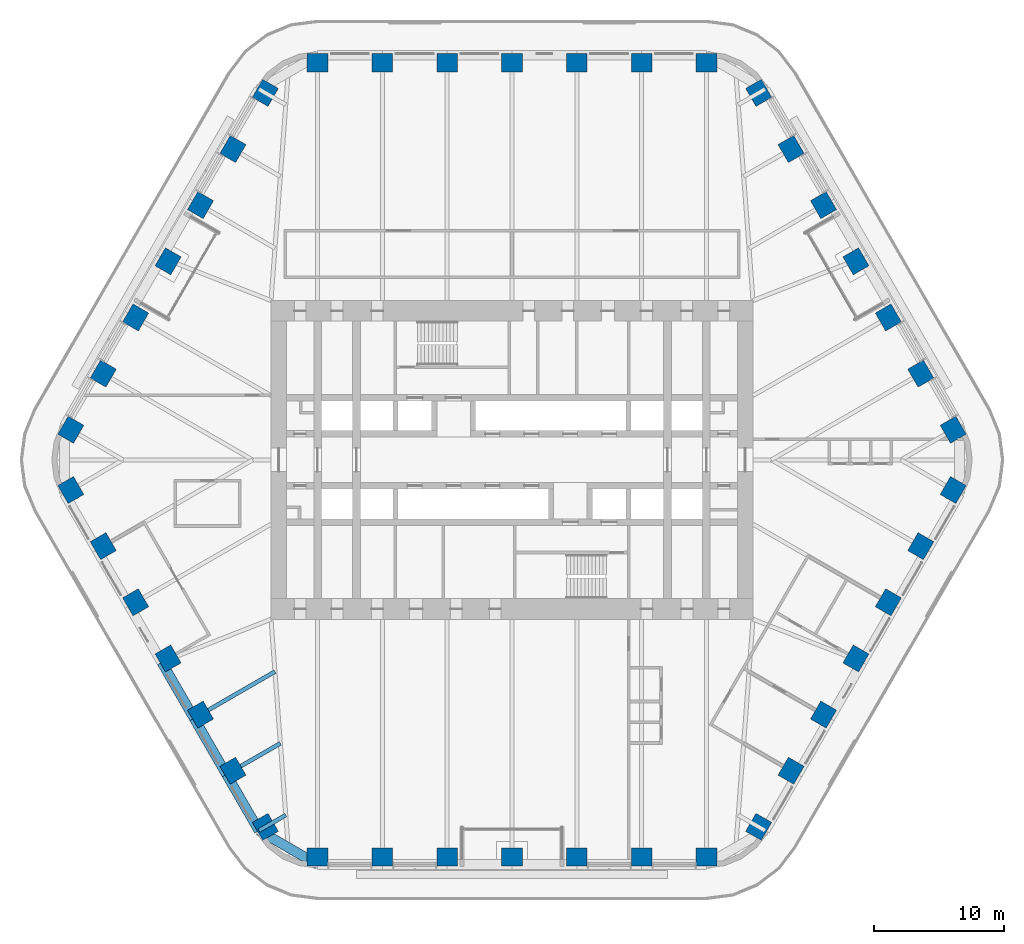
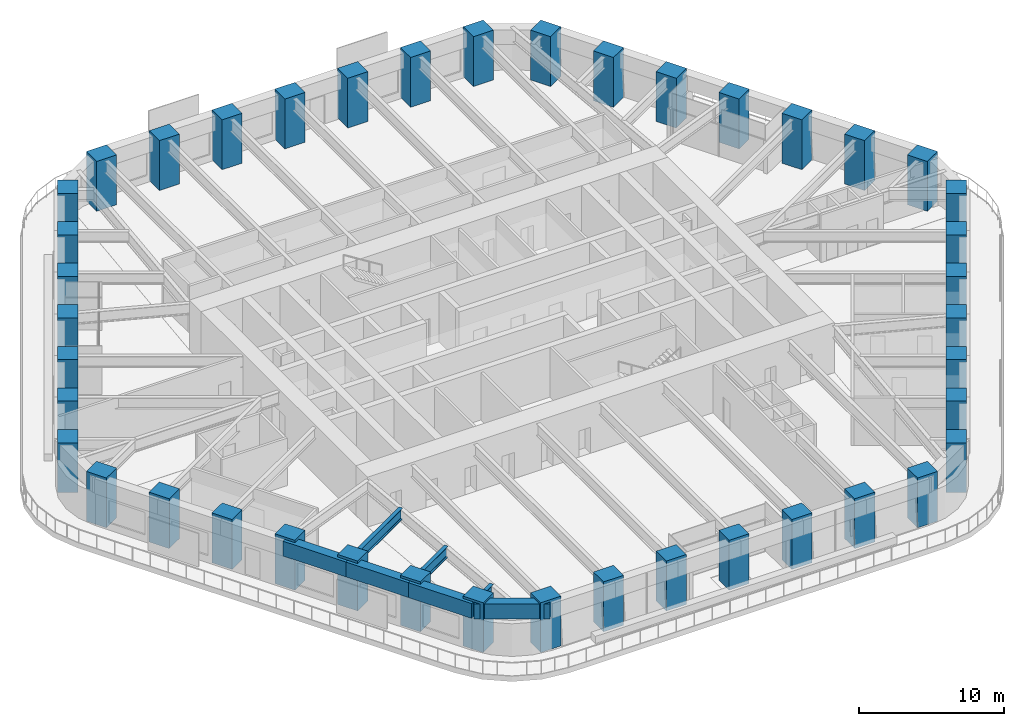
# One storey, part 1 of 24: 42 columns, 7 beams.
"""IFC4 building model written with IfcOpenShell, lengths in metres."""

from ifc_helpers import new_model, si_unit, direction, frame, origin, origin_2d, place, context, subcontext, project, spatial, rectangle, i_section, extrude, material, material_profile, profile_set, type_object, element, save


model = new_model("IFC4")

# Units and contexts
model_context = context("Model", 3, precision=1e-05, world=origin(), true_north=direction((0.0, 1.0)))
body_context = subcontext(model_context, "Body", "Model", "MODEL_VIEW")
ifc_project = project(units=[si_unit("LENGTHUNIT", "METRE"), si_unit("AREAUNIT", "SQUARE_METRE"), si_unit("VOLUMEUNIT", "CUBIC_METRE"), si_unit("PLANEANGLEUNIT", "RADIAN"), si_unit("MASSUNIT", "GRAM", prefix="KILO")], contexts=[model_context])

# Site, building, storey
site_placement = place(None, origin())
site = spatial("IfcSite", under=ifc_project, at=site_placement, CompositionType="ELEMENT")
building_placement = place(site_placement, origin())
building = spatial("IfcBuilding", under=site, at=building_placement, Name="Tarfa Lantern Tower", CompositionType="ELEMENT")
storey_placement = place(building_placement, frame((0.0, 0.0, 169.89990234375)))
storey = spatial("IfcBuildingStorey", under=building, at=storey_placement, Name="L38", CompositionType="ELEMENT", Elevation=169.89990234375)

# Columns
ifc_material_1 = material(Name="Concrete C80/95", Category="concrete")
ifc_material_profile_1 = material_profile(ifc_material_1, rectangle(XDim=1.60009765625, YDim=1.39990234375, at=origin_2d()), Name="RC 1600x1400")
ifc_profile_set_1 = profile_set([ifc_material_profile_1], Name="Concrete C80/95")
column_type = type_object("IfcColumnType", Name="TC7 RC 1600x1400", PredefinedType="COLUMN", material=ifc_profile_set_1)
for number, where, z_axis, x_axis, name in (
    (1, (34.04931640625, 2.324951171875, 0.0), (0.0, 0.0, 1.0), (-0.5, 0.866025403784, 0.0), "Tube column NE0"),
    (2, (31.54736328125, 6.658447265625, 0.0), (0.0, 0.0, 1.0), (-0.5, 0.866025403784, 0.0), "Tube column NE1"),
    (3, (29.04541015625, 10.99169921875, 0.0), (0.0, 0.0, 1.0), (-0.5, 0.866025403784, 0.0), "Tube column NE2"),
    (4, (26.543701171875, 15.324951171875, 0.0), (0.0, 0.0, 1.0), (-0.5, 0.866025403784, 0.0), "Tube column NE3"),
    (5, (24.041748046875, 19.658447265625, 0.0), (0.0, 0.0, 1.0), (-0.5, 0.866025403784, 0.0), "Tube column NE4"),
    (6, (21.5400390625, 23.99169921875, 0.0), (0.0, 0.0, 1.0), (-0.5, 0.866025403784, 0.0), "Tube column NE5"),
    (7, (19.0380859375, 28.324951171875, 0.0), (0.0, 0.0, 1.0), (-0.5, 0.866025403784, 0.0), "Tube column NE6"),
    (8, (15.010986328125, 30.64990234375, 0.0), (0.0, 0.0, 1.0), (-1.0, 0.0, 0.0), "Tube column N0"),
    (9, (10.00732421875, 30.64990234375, 0.0), (0.0, 0.0, 1.0), (-1.0, 0.0, 0.0), "Tube column N1"),
    (10, (5.003662109375, 30.64990234375, 0.0), (0.0, 0.0, 1.0), (-1.0, 0.0, 0.0), "Tube column N2"),
    (11, (0.0, 30.64990234375, 0.0), (0.0, 0.0, 1.0), (-1.0, 0.0, 0.0), "Tube column N3"),
    (12, (-5.003662109375, 30.64990234375, 0.0), (0.0, 0.0, 1.0), (-1.0, 0.0, 0.0), "Tube column N4"),
    (13, (-10.00732421875, 30.64990234375, 0.0), (0.0, 0.0, 1.0), (-1.0, 0.0, 0.0), "Tube column N5"),
    (14, (-15.010986328125, 30.64990234375, 0.0), (0.0, 0.0, 1.0), (-1.0, 0.0, 0.0), "Tube column N6"),
    (15, (-19.0380859375, 28.324951171875, 0.0), (0.0, 0.0, 1.0), (-0.5, -0.866025403784, 0.0), "Tube column NW0"),
    (16, (-21.5400390625, 23.99169921875, 0.0), (0.0, 0.0, 1.0), (-0.5, -0.866025403784, 0.0), "Tube column NW1"),
    (17, (-24.041748046875, 19.658447265625, 0.0), (0.0, 0.0, 1.0), (-0.5, -0.866025403784, 0.0), "Tube column NW2"),
    (18, (-26.543701171875, 15.324951171875, 0.0), (0.0, 0.0, 1.0), (-0.5, -0.866025403784, 0.0), "Tube column NW3"),
    (19, (-29.04541015625, 10.99169921875, 0.0), (0.0, 0.0, 1.0), (-0.5, -0.866025403784, 0.0), "Tube column NW4"),
    (20, (-31.54736328125, 6.658447265625, 0.0), (0.0, 0.0, 1.0), (-0.5, -0.866025403784, 0.0), "Tube column NW5"),
    (21, (-34.04931640625, 2.324951171875, 0.0), (0.0, 0.0, 1.0), (-0.5, -0.866025403784, 0.0), "Tube column NW6"),
    (22, (-34.04931640625, -2.324951171875, 0.0), (0.0, 0.0, 1.0), (0.5, -0.866025403784, 0.0), "Tube column SW0"),
    (23, (-31.54736328125, -6.658447265625, 0.0), (0.0, 0.0, 1.0), (0.5, -0.866025403784, 0.0), "Tube column SW1"),
    (24, (-29.04541015625, -10.99169921875, 0.0), (0.0, 0.0, 1.0), (0.5, -0.866025403784, 0.0), "Tube column SW2"),
    (25, (-26.543701171875, -15.324951171875, 0.0), (0.0, 0.0, 1.0), (0.5, -0.866025403784, 0.0), "Tube column SW3"),
    (26, (-24.041748046875, -19.658447265625, 0.0), (0.0, 0.0, 1.0), (0.5, -0.866025403784, 0.0), "Tube column SW4"),
    (27, (-21.5400390625, -23.99169921875, 0.0), (0.0, 0.0, 1.0), (0.5, -0.866025403784, 0.0), "Tube column SW5"),
    (28, (-19.0380859375, -28.324951171875, 0.0), (0.0, 0.0, 1.0), (0.5, -0.866025403784, 0.0), "Tube column SW6"),
    (29, (-15.010986328125, -30.64990234375, 0.0), (0.0, 0.0, 1.0), (1.0, 0.0, 0.0), "Tube column S0"),
    (30, (-10.00732421875, -30.64990234375, 0.0), (0.0, 0.0, 1.0), (1.0, 0.0, 0.0), "Tube column S1"),
    (31, (-5.003662109375, -30.64990234375, 0.0), (0.0, 0.0, 1.0), (1.0, 0.0, 0.0), "Tube column S2"),
    (32, (0.0, -30.64990234375, 0.0), (0.0, 0.0, 1.0), (1.0, 0.0, 0.0), "Tube column S3"),
    (33, (5.003662109375, -30.64990234375, 0.0), (0.0, 0.0, 1.0), (1.0, 0.0, 0.0), "Tube column S4"),
    (34, (10.00732421875, -30.64990234375, 0.0), (0.0, 0.0, 1.0), (1.0, 0.0, 0.0), "Tube column S5"),
    (35, (15.010986328125, -30.64990234375, 0.0), (0.0, 0.0, 1.0), (1.0, 0.0, 0.0), "Tube column S6"),
    (36, (19.0380859375, -28.324951171875, 0.0), (0.0, 0.0, 1.0), (0.5, 0.866025403784, 0.0), "Tube column SE0"),
    (37, (21.5400390625, -23.99169921875, 0.0), (0.0, 0.0, 1.0), (0.5, 0.866025403784, 0.0), "Tube column SE1"),
    (38, (24.041748046875, -19.658447265625, 0.0), (0.0, 0.0, 1.0), (0.5, 0.866025403784, 0.0), "Tube column SE2"),
    (39, (26.543701171875, -15.324951171875, 0.0), (0.0, 0.0, 1.0), (0.5, 0.866025403784, 0.0), "Tube column SE3"),
    (40, (29.04541015625, -10.99169921875, 0.0), (0.0, 0.0, 1.0), (0.5, 0.866025403784, 0.0), "Tube column SE4"),
    (41, (31.54736328125, -6.658447265625, 0.0), (0.0, 0.0, 1.0), (0.5, 0.866025403784, 0.0), "Tube column SE5"),
    (42, (34.04931640625, -2.324951171875, 0.0), (0.0, 0.0, 1.0), (0.5, 0.866025403784, 0.0), "Tube column SE6"),
):
    element("IfcColumn", number, at=place(storey_placement, frame(where, z_axis=z_axis, x_axis=x_axis)), inside=storey, type_object=column_type, Name=name, PredefinedType="COLUMN", context=body_context, shape_type="SweptSolid", body=[
        extrude(rectangle(XDim=1.60009765625, YDim=1.39990234375, at=origin_2d()), origin(), (0.0, 0.0, 1.0), 4.2001953125),
    ])

# Beams
ifc_material_profile_2 = material_profile(ifc_material_1, rectangle(XDim=0.75, YDim=1.25, at=origin_2d()), Name="RC 750x1250")
ifc_profile_set_2 = profile_set([ifc_material_profile_2], Name="Concrete C80/95")
beam_type_1 = type_object("IfcBeamType", Name="EB2 RC 750x1250", PredefinedType="SPANDREL", material=ifc_profile_set_2)
for number, where, z_axis, x_axis, name in (
    (43, (-27.037353515625, -15.610107421875, 3.375), (0.500022324899, -0.866012514114, 0.0), (0.866012514114, 0.500022324899, 0.0), "Edge beam SW3"),
    (44, (-24.535400390625, -19.943359375, 3.375), (0.49998573051, -0.866033642122, 0.0), (0.866033642122, 0.49998573051, 0.0), "Edge beam SW4"),
):
    element("IfcBeam", number, at=place(storey_placement, frame(where, z_axis=z_axis, x_axis=x_axis)), inside=storey, type_object=beam_type_1, Name=name, PredefinedType="SPANDREL", context=body_context, shape_type="SweptSolid", body=[
        extrude(rectangle(XDim=0.75, YDim=1.25, at=origin_2d()), origin(), (0.0, 0.0, 1.0), 5.003662109375),
    ])
beam_1_placement = place(storey_placement, frame((-22.03369140625, -24.276611328125, 3.375), z_axis=(0.500001197378, -0.866024712477, 0.0), x_axis=(0.866024712477, 0.500001197378, 0.0)))
element("IfcBeam", 45, at=beam_1_placement, inside=storey, type_object=beam_type_1, Name="Edge beam SW5", PredefinedType="SPANDREL", context=body_context, shape_type="SweptSolid", body=[
    extrude(rectangle(XDim=0.75, YDim=1.25, at=origin_2d()), origin(), (0.0, 0.0, 1.0), 5.00390625),
])
beam_2_placement = place(storey_placement, frame((-19.53173828125, -28.610107421875, 3.375), z_axis=(0.86604150238, -0.499972115377, 0.0), x_axis=(0.499972115377, 0.86604150238, 0.0)))
element("IfcBeam", 46, at=beam_2_placement, inside=storey, type_object=beam_type_1, Name="Edge beam SW6", PredefinedType="SPANDREL", context=body_context, shape_type="SweptSolid", body=[
    extrude(rectangle(XDim=0.75, YDim=1.25, at=origin_2d()), origin(), (0.0, 0.0, 1.0), 5.219970703125),
])
ifc_material_2 = material(Name="Steel S460M", Category="steel")
ifc_material_profile_3 = material_profile(ifc_material_2, i_section(OverallWidth=0.305419921875, OverallDepth=0.91845703125, WebThickness=0.017333984375, FlangeThickness=0.02783203125, FilletRadius=0.01904296875, at=origin_2d()), Name="UB914x305x253")
ifc_profile_set_3 = profile_set([ifc_material_profile_3], Name="Steel S460M")
beam_type_2 = type_object("IfcBeamType", Name="UB914x305x253", PredefinedType="BEAM", material=ifc_profile_set_3)
beam_3_placement = place(storey_placement, frame((-24.535400390625, -19.943359375, 3.541015625), z_axis=(0.86602647304, 0.499998147991, 0.0), x_axis=(-0.499998147991, 0.86602647304, 0.0)))
element("IfcBeam", 47, at=beam_3_placement, inside=storey, type_object=beam_type_2, Name="Floor beam SW4", PredefinedType="BEAM", context=body_context, shape_type="SweptSolid", body=[
    extrude(i_section(OverallWidth=0.305419921875, OverallDepth=0.91845703125, WebThickness=0.017333984375, FlangeThickness=0.02783203125, FilletRadius=0.01904296875, at=origin_2d()), origin(), (0.0, 0.0, 1.0), 7.20556640625),
])
beam_4_placement = place(storey_placement, frame((-22.03369140625, -24.276611328125, 3.541015625), z_axis=(0.866030550462, 0.499991085587, 0.0), x_axis=(-0.499991085587, 0.866030550462, 0.0)))
element("IfcBeam", 48, at=beam_4_placement, inside=storey, type_object=beam_type_2, Name="Floor beam SW5", PredefinedType="BEAM", context=body_context, shape_type="SweptSolid", body=[
    extrude(i_section(OverallWidth=0.305419921875, OverallDepth=0.91845703125, WebThickness=0.017333984375, FlangeThickness=0.02783203125, FilletRadius=0.01904296875, at=origin_2d()), origin(), (0.0, 0.0, 1.0), 4.798828125),
])
beam_5_placement = place(storey_placement, frame((-19.53173828125, -28.610107421875, 3.541015625), z_axis=(0.865998640954, 0.500046351717, 0.0), x_axis=(-0.500046351717, 0.865998640954, 0.0)))
element("IfcBeam", 49, at=beam_5_placement, inside=storey, type_object=beam_type_2, Name="Floor beam SW6", PredefinedType="BEAM", context=body_context, shape_type="SweptSolid", body=[
    extrude(i_section(OverallWidth=0.305419921875, OverallDepth=0.91845703125, WebThickness=0.017333984375, FlangeThickness=0.02783203125, FilletRadius=0.01904296875, at=origin_2d()), origin(), (0.0, 0.0, 1.0), 2.392333984375),
])

save(model, "model.ifc")
